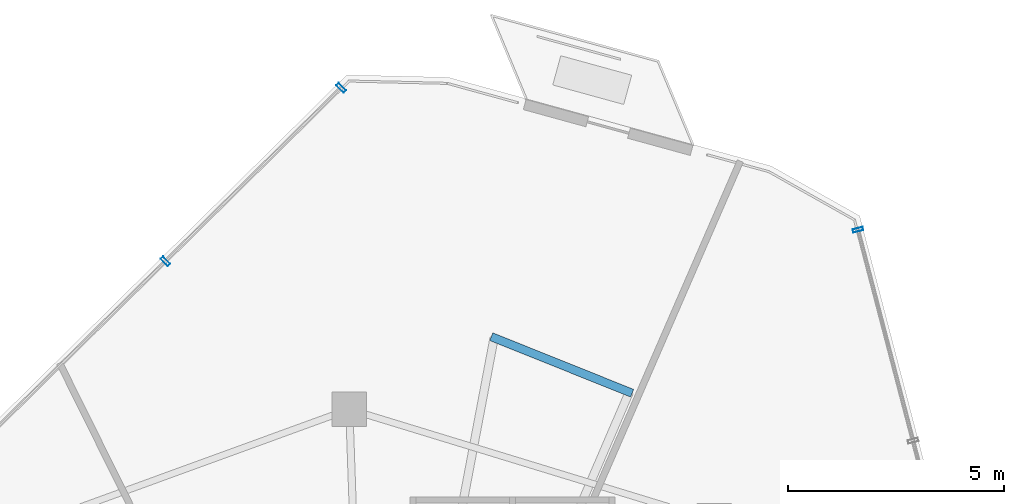
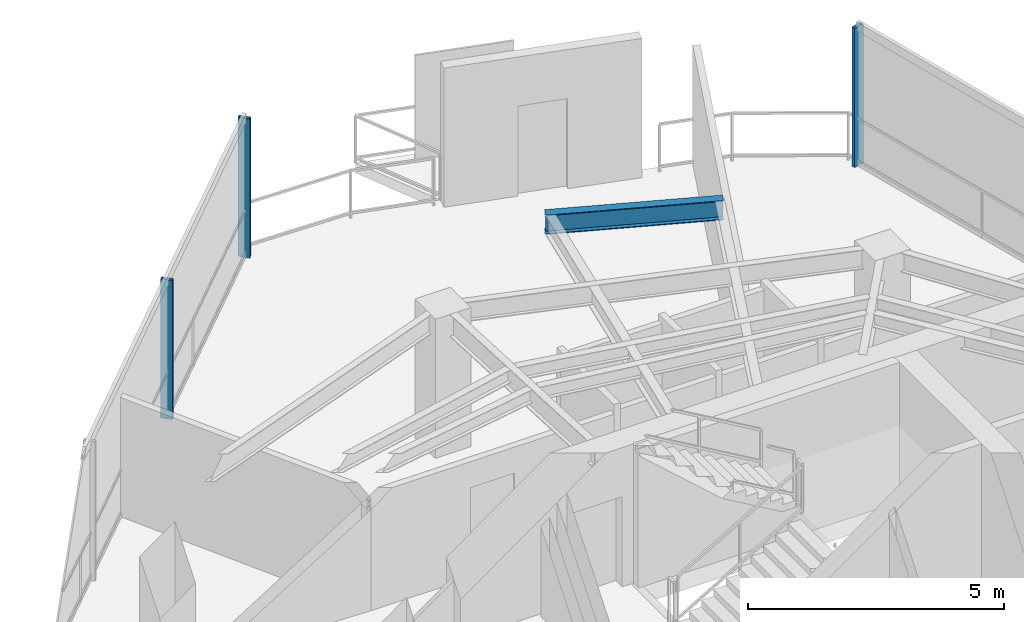
# One storey, part 13 of 19: 3 members, 1 beam, 2 elements without a shape of their own.
"""IFC4 building model written with IfcOpenShell, lengths in metres."""

from ifc_helpers import new_model, si_unit, direction, frame, origin, origin_2d, place, context, subcontext, project, spatial, hollow_rectangle, i_section, extrude, material, layer, layer_set, material_profile, profile_set, type_object, element, aggregate, save


model = new_model("IFC4")

# Units and contexts
model_context = context("Model", 3, precision=1e-05, world=origin(), true_north=direction((0.0, 1.0)))
body_context = subcontext(model_context, "Body", "Model", "MODEL_VIEW")
ifc_project = project(units=[si_unit("LENGTHUNIT", "METRE"), si_unit("AREAUNIT", "SQUARE_METRE"), si_unit("VOLUMEUNIT", "CUBIC_METRE"), si_unit("PLANEANGLEUNIT", "RADIAN"), si_unit("MASSUNIT", "GRAM", prefix="KILO")], contexts=[model_context])

# Site, building, storey
site_placement = place(None, origin())
site = spatial("IfcSite", under=ifc_project, at=site_placement, CompositionType="ELEMENT")
building_placement = place(site_placement, origin())
building = spatial("IfcBuilding", under=site, at=building_placement, Name="Qarnah Convention Tower", CompositionType="ELEMENT")
storey_placement = place(building_placement, frame((0.0, 0.0, 235.5)))
storey = spatial("IfcBuildingStorey", under=building, at=storey_placement, Name="L63", CompositionType="ELEMENT", Elevation=235.5)

# Beam
ifc_material_1 = material(Name="Structural steel S355JR", Category="steel")
ifc_material_profile_1 = material_profile(ifc_material_1, i_section(OverallWidth=0.19189453125, OverallDepth=0.464111328125, WebThickness=0.010986328125, FlangeThickness=0.01806640625, at=origin_2d()), Name="W460X89")
ifc_profile_set_1 = profile_set([ifc_material_profile_1], Name="Structural steel S355JR")
beam_type = type_object("IfcBeamType", Name="BM-CANT-W460A", PredefinedType="BEAM", material=ifc_profile_set_1)
beam_placement = place(storey_placement, frame((40.009033203125, 41.6201171875, 3.087890625), z_axis=(0.928063247738, -0.372422620417, 0.0), x_axis=(0.372422620417, 0.928063247738, 0.0)))
element("IfcBeam", 1, at=beam_placement, inside=storey, type_object=beam_type, Name="L63 spandrel BM-L63-CTIE-01", PredefinedType="SPANDREL", context=body_context, shape_type="SweptSolid", body=[
    extrude(i_section(OverallWidth=0.19189453125, OverallDepth=0.464111328125, WebThickness=0.010986328125, FlangeThickness=0.01806640625, at=origin_2d()), origin(), (0.0, 0.0, 1.0), 3.507080078125),
])

# Curtain wall, members
ifc_material_2 = material(Name="Tempered Low-E dark glass", Category="glass")
ifc_layer = layer(ifc_material_2, 0.176025390625)
ifc_layer_set = layer_set([ifc_layer], Name="Tempered Low-E dark glass")
curtain_wall_type = type_object("IfcCurtainWallType", Name="CWS-05", PredefinedType="NOTDEFINED", material=ifc_layer_set)
curtain_wall_1_placement = place(storey_placement, origin())
curtain_wall_1 = element("IfcCurtainWall", 2, at=curtain_wall_1_placement, inside=storey, type_object=curtain_wall_type, Name="L63 unitised curtain wall CW-L63-F2", PredefinedType="NOTDEFINED")
ifc_material_3 = material(Name="Black anodised aluminium", Category="aluminium")
ifc_material_profile_2 = material_profile(ifc_material_3, hollow_rectangle(XDim=0.080078125, YDim=0.239990234375, WallThickness=0.0048828125, at=origin_2d()), Name="MUL-80X240")
ifc_profile_set_2 = profile_set([ifc_material_profile_2], Name="Black anodised aluminium")
member_type = type_object("IfcMemberType", Name="MUL-T5", PredefinedType="MULLION", material=ifc_profile_set_2)
member_1_placement = place(storey_placement, frame((32.4775390625, 43.364501953125, 0.0), z_axis=(0.0, 0.0, 1.0), x_axis=(0.711543869216, 0.702641674099, 0.0)))
member_1 = element("IfcMember", 3, at=member_1_placement, type_object=member_type, Name="CW-L63-F2 mullion 5", PredefinedType="MULLION", context=body_context, shape_type="SweptSolid", body=[
    extrude(hollow_rectangle(XDim=0.080078125, YDim=0.239990234375, WallThickness=0.0048828125, at=origin_2d()), origin(), (0.0, 0.0, 1.0), 3.320068359375),
])
member_2_placement = place(storey_placement, frame((36.5380859375, 47.3740234375, 0.0), z_axis=(0.0, 0.0, 1.0), x_axis=(0.711543869216, 0.702641674099, 0.0)))
member_2 = element("IfcMember", 4, at=member_2_placement, type_object=member_type, Name="CW-L63-F2 mullion 6", PredefinedType="MULLION", context=body_context, shape_type="SweptSolid", body=[
    extrude(hollow_rectangle(XDim=0.080078125, YDim=0.239990234375, WallThickness=0.0048828125, at=origin_2d()), origin(), (0.0, 0.0, 1.0), 3.320068359375),
])
aggregate(curtain_wall_1, [member_1, member_2])

# Curtain wall, member
curtain_wall_2_placement = place(storey_placement, origin())
curtain_wall_2 = element("IfcCurtainWall", 5, at=curtain_wall_2_placement, inside=storey, type_object=curtain_wall_type, Name="L63 unitised curtain wall CW-L63-F3", PredefinedType="NOTDEFINED")
member_3_placement = place(storey_placement, frame((48.48388671875, 44.092041015625, 0.0), z_axis=(0.0, 0.0, 1.0), x_axis=(0.252724823832, -0.967538197395, 0.0)))
member_3 = element("IfcMember", 6, at=member_3_placement, type_object=member_type, Name="CW-L63-F3 mullion 1", PredefinedType="MULLION", context=body_context, shape_type="SweptSolid", body=[
    extrude(hollow_rectangle(XDim=0.080078125, YDim=0.239990234375, WallThickness=0.0048828125, at=origin_2d()), origin(), (0.0, 0.0, 1.0), 3.320068359375),
])
aggregate(curtain_wall_2, [member_3])

save(model, "model.ifc")
